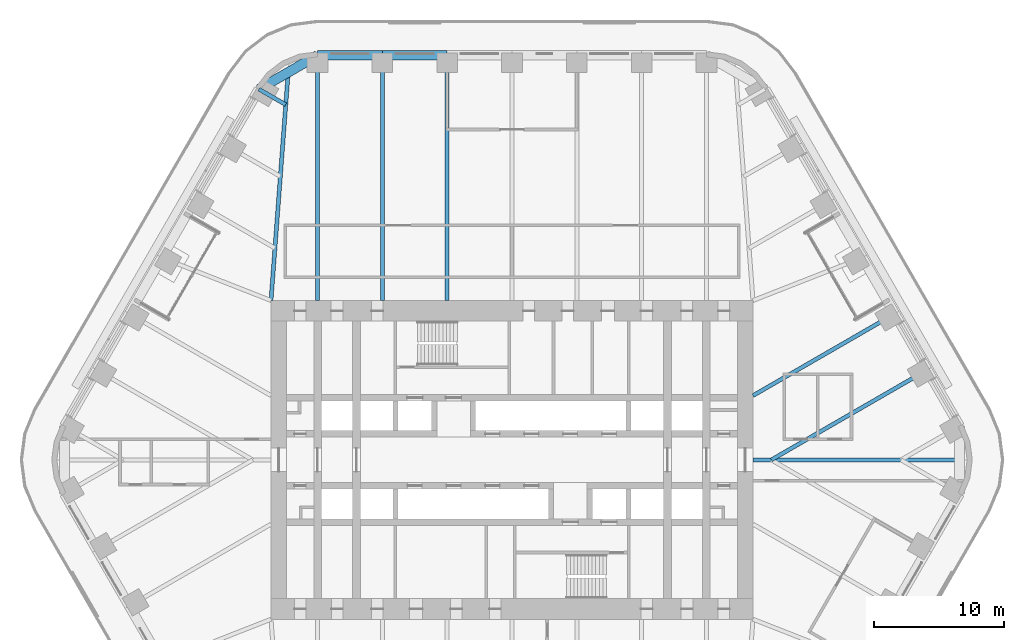
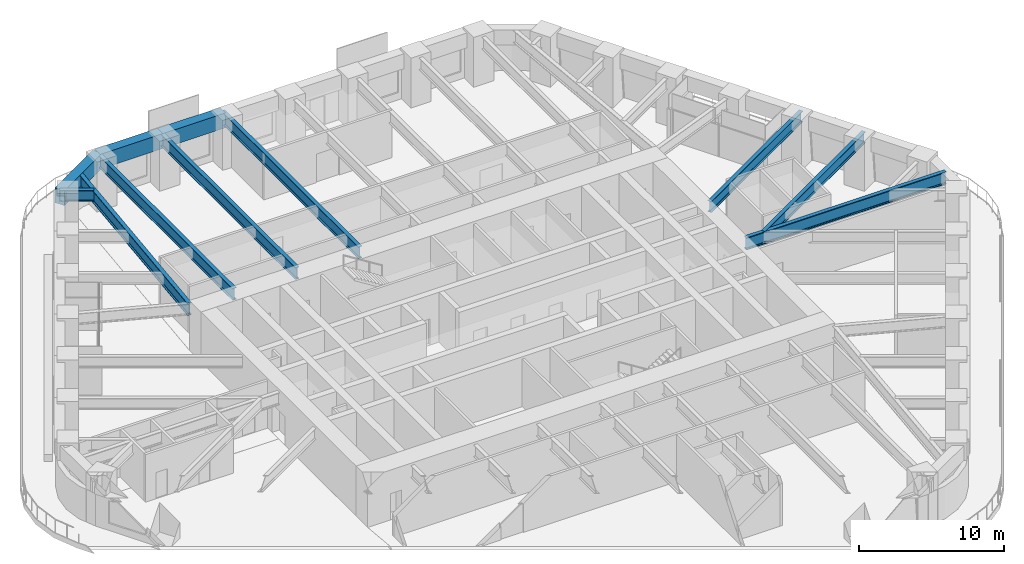
# One storey, part 10 of 24: 11 beams.
"""IFC4 building model written with IfcOpenShell, lengths in metres."""

from ifc_helpers import new_model, si_unit, direction, frame, origin, origin_2d, place, context, subcontext, project, spatial, rectangle, i_section, extrude, material, material_profile, profile_set, type_object, element, save


model = new_model("IFC4")

# Units and contexts
model_context = context("Model", 3, precision=1e-05, world=origin(), true_north=direction((0.0, 1.0)))
body_context = subcontext(model_context, "Body", "Model", "MODEL_VIEW")
ifc_project = project(units=[si_unit("LENGTHUNIT", "METRE"), si_unit("AREAUNIT", "SQUARE_METRE"), si_unit("VOLUMEUNIT", "CUBIC_METRE"), si_unit("PLANEANGLEUNIT", "RADIAN"), si_unit("MASSUNIT", "GRAM", prefix="KILO")], contexts=[model_context])

# Site, building, storey
site_placement = place(None, origin())
site = spatial("IfcSite", under=ifc_project, at=site_placement, CompositionType="ELEMENT")
building_placement = place(site_placement, origin())
building = spatial("IfcBuilding", under=site, at=building_placement, Name="Tarfa Lantern Tower", CompositionType="ELEMENT")
storey_placement = place(building_placement, frame((0.0, 0.0, 157.300048828125)))
storey = spatial("IfcBuildingStorey", under=building, at=storey_placement, Name="L35", CompositionType="ELEMENT", Elevation=157.300048828125)

# Beams
ifc_material_1 = material(Name="Concrete C80/95", Category="concrete")
ifc_material_profile_1 = material_profile(ifc_material_1, rectangle(XDim=0.75, YDim=1.25, at=origin_2d()), Name="RC 750x1250")
ifc_profile_set_1 = profile_set([ifc_material_profile_1], Name="Concrete C80/95")
beam_type_1 = type_object("IfcBeamType", Name="EB2 RC 750x1250", PredefinedType="SPANDREL", material=ifc_profile_set_1)
for number, where, z_axis, x_axis, name in (
    (1, (-5.003662109375, 31.219970703125, 3.375), (-1.0, 0.0, 0.0), (0.0, -1.0, 0.0), "Edge beam N4"),
    (2, (-10.00732421875, 31.219970703125, 3.375), (-1.0, 0.0, 0.0), (0.0, -1.0, 0.0), "Edge beam N5"),
):
    element("IfcBeam", number, at=place(storey_placement, frame(where, z_axis=z_axis, x_axis=x_axis)), inside=storey, type_object=beam_type_1, Name=name, PredefinedType="SPANDREL", context=body_context, shape_type="SweptSolid", body=[
        extrude(rectangle(XDim=0.75, YDim=1.25, at=origin_2d()), origin(), (0.0, 0.0, 1.0), 5.003662109375),
    ])
beam_1_placement = place(storey_placement, frame((-15.010986328125, 31.219970703125, 3.375), z_axis=(-0.86604150238, -0.499972115377, 0.0), x_axis=(0.499972115377, -0.86604150238, 0.0)))
element("IfcBeam", 3, at=beam_1_placement, inside=storey, type_object=beam_type_1, Name="Edge beam N6", PredefinedType="SPANDREL", context=body_context, shape_type="SweptSolid", body=[
    extrude(rectangle(XDim=0.75, YDim=1.25, at=origin_2d()), origin(), (0.0, 0.0, 1.0), 5.219970703125),
])
ifc_material_2 = material(Name="Steel S460M", Category="steel")
ifc_material_profile_2 = material_profile(ifc_material_2, i_section(OverallWidth=0.302001953125, OverallDepth=1.008056640625, WebThickness=0.02099609375, FlangeThickness=0.0400390625, FilletRadius=0.030029296875, at=origin_2d()), Name="UB1016x305x349")
ifc_profile_set_2 = profile_set([ifc_material_profile_2], Name="Steel S460M")
beam_type_2 = type_object("IfcBeamType", Name="UB1016x305x349", PredefinedType="BEAM", material=ifc_profile_set_2)
for number, where, z_axis, x_axis, name in (
    (4, (-5.003662109375, 31.219970703125, 3.495849609375), (0.0, -1.0, 0.0), (1.0, 0.0, 0.0), "Floor beam N4"),
    (5, (-10.00732421875, 31.219970703125, 3.495849609375), (0.0, -1.0, 0.0), (1.0, 0.0, 0.0), "Floor beam N5"),
    (6, (-15.010986328125, 31.219970703125, 3.495849609375), (0.0, -1.0, 0.0), (1.0, 0.0, 0.0), "Floor beam N6"),
):
    element("IfcBeam", number, at=place(storey_placement, frame(where, z_axis=z_axis, x_axis=x_axis)), inside=storey, type_object=beam_type_2, Name=name, PredefinedType="BEAM", context=body_context, shape_type="SweptSolid", body=[
        extrude(i_section(OverallWidth=0.302001953125, OverallDepth=1.008056640625, WebThickness=0.02099609375, FlangeThickness=0.0400390625, FilletRadius=0.030029296875, at=origin_2d()), origin(), (0.0, 0.0, 1.0), 18.919921875),
    ])
ifc_material_profile_3 = material_profile(ifc_material_2, i_section(OverallWidth=0.30859375, OverallDepth=1.036376953125, WebThickness=0.030029296875, FlangeThickness=0.05419921875, FilletRadius=0.030029296875, at=origin_2d()), Name="UB1016x305x487")
ifc_profile_set_3 = profile_set([ifc_material_profile_3], Name="Steel S460M")
beam_type_3 = type_object("IfcBeamType", Name="UB1016x305x487", PredefinedType="BEAM", material=ifc_profile_set_3)
beam_2_placement = place(storey_placement, frame((18.60009765625, 0.0, 3.481689453125), z_axis=(1.0, 0.0, 0.0), x_axis=(0.0, 1.0, 0.0)))
element("IfcBeam", 7, at=beam_2_placement, inside=storey, type_object=beam_type_3, Name="Hip girder E", PredefinedType="BEAM", context=body_context, shape_type="SweptSolid", body=[
    extrude(i_section(OverallWidth=0.30859375, OverallDepth=1.036376953125, WebThickness=0.030029296875, FlangeThickness=0.05419921875, FilletRadius=0.030029296875, at=origin_2d()), origin(), (0.0, 0.0, 1.0), 15.94287109375),
])
beam_3_placement = place(storey_placement, frame((-18.60009765625, 12.300048828125, 3.481689453125), z_axis=(0.075211516041, 0.99716760269, 0.0), x_axis=(-0.99716760269, 0.075211516041, 0.0)))
element("IfcBeam", 8, at=beam_3_placement, inside=storey, type_object=beam_type_3, Name="Hip girder NW", PredefinedType="BEAM", context=body_context, shape_type="SweptSolid", body=[
    extrude(i_section(OverallWidth=0.30859375, OverallDepth=1.036376953125, WebThickness=0.030029296875, FlangeThickness=0.05419921875, FilletRadius=0.030029296875, at=origin_2d()), origin(), (0.0, 0.0, 1.0), 17.6650390625),
])
ifc_material_profile_4 = material_profile(ifc_material_2, i_section(OverallWidth=0.305419921875, OverallDepth=0.91845703125, WebThickness=0.017333984375, FlangeThickness=0.02783203125, FilletRadius=0.01904296875, at=origin_2d()), Name="UB914x305x253")
ifc_profile_set_4 = profile_set([ifc_material_profile_4], Name="Steel S460M")
beam_type_4 = type_object("IfcBeamType", Name="UB914x305x253", PredefinedType="BEAM", material=ifc_profile_set_4)
beam_4_placement = place(storey_placement, frame((32.041015625, 6.943359375, 3.540771484375), z_axis=(-0.866023096411, -0.500003996466, 0.0), x_axis=(0.500003996466, -0.866023096411, 0.0)))
element("IfcBeam", 9, at=beam_4_placement, inside=storey, type_object=beam_type_4, Name="Floor beam NE1", PredefinedType="BEAM", context=body_context, shape_type="SweptSolid", body=[
    extrude(i_section(OverallWidth=0.305419921875, OverallDepth=0.91845703125, WebThickness=0.017333984375, FlangeThickness=0.02783203125, FilletRadius=0.01904296875, at=origin_2d()), origin(), (0.0, 0.0, 1.0), 13.88671875),
])
beam_5_placement = place(storey_placement, frame((29.5390625, 11.276611328125, 3.540771484375), z_axis=(-0.866023362995, -0.500003534735, 0.0), x_axis=(0.500003534735, -0.866023362995, 0.0)))
element("IfcBeam", 10, at=beam_5_placement, inside=storey, type_object=beam_type_4, Name="Floor beam NE2", PredefinedType="BEAM", context=body_context, shape_type="SweptSolid", body=[
    extrude(i_section(OverallWidth=0.305419921875, OverallDepth=0.91845703125, WebThickness=0.017333984375, FlangeThickness=0.02783203125, FilletRadius=0.01904296875, at=origin_2d()), origin(), (0.0, 0.0, 1.0), 12.63134765625),
])
beam_6_placement = place(storey_placement, frame((-19.53173828125, 28.610107421875, 3.540771484375), z_axis=(0.865998640954, -0.500046351717, 0.0), x_axis=(0.500046351717, 0.865998640954, 0.0)))
element("IfcBeam", 11, at=beam_6_placement, inside=storey, type_object=beam_type_4, Name="Floor beam NW0", PredefinedType="BEAM", context=body_context, shape_type="SweptSolid", body=[
    extrude(i_section(OverallWidth=0.305419921875, OverallDepth=0.91845703125, WebThickness=0.017333984375, FlangeThickness=0.02783203125, FilletRadius=0.01904296875, at=origin_2d()), origin(), (0.0, 0.0, 1.0), 2.392333984375),
])

save(model, "model.ifc")
